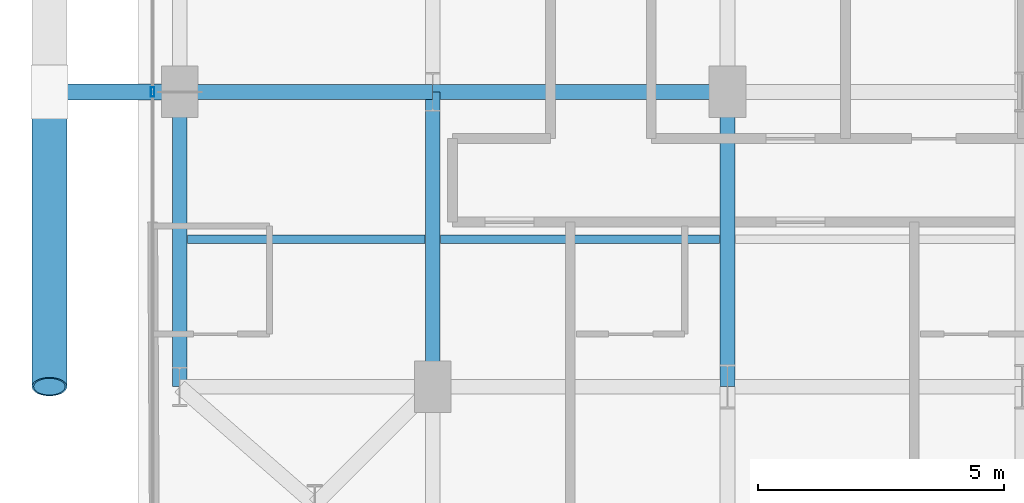
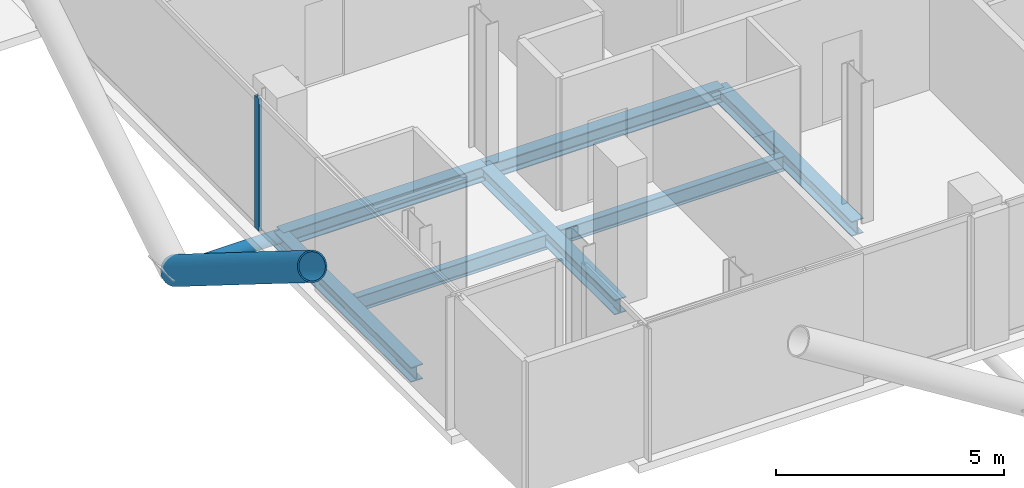
# One storey, part 3 of 28: 7 beams, 3 members, 1 element without a shape of its own.
"""IFC4 building model written with IfcOpenShell, lengths in metres."""

from ifc_helpers import new_model, si_unit, direction, frame, origin, origin_2d, place, context, subcontext, project, spatial, hollow_rectangle, hollow_circle, i_section, extrude, material, layer, layer_set, material_profile, profile_set, type_object, element, aggregate, save


model = new_model("IFC4")

# Units and contexts
model_context = context("Model", 3, precision=1e-05, world=origin(), true_north=direction((0.0, 1.0)))
body_context = subcontext(model_context, "Body", "Model", "MODEL_VIEW")
ifc_project = project(units=[si_unit("LENGTHUNIT", "METRE"), si_unit("AREAUNIT", "SQUARE_METRE"), si_unit("VOLUMEUNIT", "CUBIC_METRE"), si_unit("PLANEANGLEUNIT", "RADIAN"), si_unit("MASSUNIT", "GRAM", prefix="KILO"), si_unit("THERMODYNAMICTEMPERATUREUNIT", "KELVIN"), si_unit("POWERUNIT", "WATT")], contexts=[model_context])

# Site, building, storey
site_placement = place(None, origin())
site = spatial("IfcSite", under=ifc_project, at=site_placement, CompositionType="ELEMENT")
building_placement = place(site_placement, origin())
building = spatial("IfcBuilding", under=site, at=building_placement, Name="Svarakhadi Broadcast Tower", CompositionType="ELEMENT")
storey_placement = place(building_placement, frame((0.0, 0.0, 169.199951171875)))
storey = spatial("IfcBuildingStorey", under=building, at=storey_placement, Name="L41", CompositionType="ELEMENT", Elevation=169.199951171875)

# Beams
ifc_material_1 = material(Name="Steel S355J2 (IS 2062 E350C)", Category="steel")
ifc_material_profile_1 = material_profile(ifc_material_1, i_section(OverallWidth=0.179931640625, OverallDepth=0.39990234375, WebThickness=0.008544921875, FlangeThickness=0.013427734375, FilletRadius=0.02099609375, at=origin_2d()), Name="NPB 400x180x66")
ifc_profile_set_1 = profile_set([ifc_material_profile_1], Name="Steel S355J2 (IS 2062 E350C)")
beam_type_1 = type_object("IfcBeamType", Name="Beam_NPB400", PredefinedType="BEAM", material=ifc_profile_set_1)
beam_1_placement = place(storey_placement, frame((1.010009765625, 9.0, -0.409912109375), z_axis=(1.0, 0.0, 0.0), x_axis=(0.0, 1.0, 0.0)))
element("IfcBeam", 1, at=beam_1_placement, inside=storey, type_object=beam_type_1, Name="L41 Secondary Composite Beam SB001", PredefinedType="BEAM", context=body_context, shape_type="SweptSolid", body=[
    extrude(i_section(OverallWidth=0.179931640625, OverallDepth=0.39990234375, WebThickness=0.008544921875, FlangeThickness=0.013427734375, FilletRadius=0.02099609375, at=origin_2d()), origin(), (0.0, 0.0, 1.0), 4.830078125),
])
beam_2_placement = place(storey_placement, frame((6.159912109375, 9.0, -0.409912109375), z_axis=(1.0, 0.0, 0.0), x_axis=(0.0, 1.0, 0.0)))
element("IfcBeam", 2, at=beam_2_placement, inside=storey, type_object=beam_type_1, Name="L41 Secondary Composite Beam SB007", PredefinedType="BEAM", context=body_context, shape_type="SweptSolid", body=[
    extrude(i_section(OverallWidth=0.179931640625, OverallDepth=0.39990234375, WebThickness=0.008544921875, FlangeThickness=0.013427734375, FilletRadius=0.02099609375, at=origin_2d()), origin(), (0.0, 0.0, 1.0), 5.68017578125),
])

# Curtain wall, member
ifc_material_2 = material(Name="Anodised Bronze Aluminium AA 6063-T6", Category="aluminium")
ifc_layer = layer(ifc_material_2, 0.18994140625)
ifc_layer_set = layer_set([ifc_layer], Name="Anodised Bronze Aluminium AA 6063-T6")
curtain_wall_type = type_object("IfcCurtainWallType", Name="CW_Sys_04", PredefinedType="NOTDEFINED", material=ifc_layer_set)
curtain_wall_placement = place(storey_placement, origin())
curtain_wall = element("IfcCurtainWall", 3, at=curtain_wall_placement, inside=storey, type_object=curtain_wall_type, Name="L41 West Curtain Wall 02", PredefinedType="NOTDEFINED")
ifc_material_profile_2 = material_profile(ifc_material_2, hollow_rectangle(XDim=0.070068359375, YDim=0.18994140625, WallThickness=0.005615234375, at=origin_2d()), Name="ALU MULLION 190x70x6")
ifc_profile_set_2 = profile_set([ifc_material_profile_2], Name="Anodised Bronze Aluminium AA 6063-T6")
member_type_1 = type_object("IfcMemberType", Name="CW_Sys_04_Mul", PredefinedType="MULLION", material=ifc_profile_set_2)
member_1_placement = place(storey_placement, frame((0.300048828125, 12.0, 0.0), z_axis=(0.0, 0.0, 1.0), x_axis=(-1.0, 0.0, 0.0)))
member_1 = element("IfcMember", 4, at=member_1_placement, type_object=member_type_1, Name="CW-04 mullion 2", PredefinedType="MULLION", context=body_context, shape_type="SweptSolid", body=[
    extrude(hollow_rectangle(XDim=0.070068359375, YDim=0.18994140625, WallThickness=0.005615234375, at=origin_2d()), origin(), (0.0, 0.0, 1.0), 3.5400390625),
])
aggregate(curtain_wall, [member_1])

# Members
ifc_material_3 = material(Name="Steel S460ML (IS 2062 E450BR)", Category="steel")
ifc_material_profile_3 = material_profile(ifc_material_3, hollow_circle(Radius=0.35546875, WallThickness=0.034912109375, at=origin_2d()), Name="CHS 711x35")
ifc_profile_set_3 = profile_set([ifc_material_profile_3], Name="Steel S460ML (IS 2062 E450BR)")
member_type_2 = type_object("IfcMemberType", Name="Exo_Brace_CHS711", PredefinedType="BRACE", material=ifc_profile_set_3)
member_2_placement = place(storey_placement, frame((-1.800048828125, 12.0, -0.371826171875), z_axis=(0.0, -0.847998304005, 0.529998940003), x_axis=(1.0, 0.0, 0.0)))
element("IfcMember", 5, at=member_2_placement, inside=storey, type_object=member_type_2, Name="L41 Exposed Bronze Exoskeleton Diagonal W04", PredefinedType="BRACE", context=body_context, shape_type="SweptSolid", body=[
    extrude(hollow_circle(Radius=0.35546875, WallThickness=0.034912109375, at=origin_2d()), origin(), (0.0, 0.0, 1.0), 7.075439453125),
])
ifc_material_profile_4 = material_profile(ifc_material_3, hollow_circle(Radius=0.161865234375, WallThickness=0.01611328125, at=origin_2d()), Name="CHS 323.9x16")
ifc_profile_set_4 = profile_set([ifc_material_profile_4], Name="Steel S460ML (IS 2062 E450BR)")
member_type_3 = type_object("IfcMemberType", Name="Exo_Radial_Strut_Z2", PredefinedType="STRUT", material=ifc_profile_set_4)
member_3_placement = place(storey_placement, frame((-1.800048828125, 12.0, -0.371826171875), z_axis=(1.0, 0.0, 0.0), x_axis=(0.0, 1.0, 0.0)))
element("IfcMember", 6, at=member_3_placement, inside=storey, type_object=member_type_3, Name="L41 Exoskeleton Radial Tie Strut W04", PredefinedType="STRUT", context=body_context, shape_type="SweptSolid", body=[
    extrude(hollow_circle(Radius=0.161865234375, WallThickness=0.01611328125, at=origin_2d()), origin(), (0.0, 0.0, 1.0), 2.650146484375),
])

# Beams
ifc_material_profile_5 = material_profile(ifc_material_1, i_section(OverallWidth=0.300048828125, OverallDepth=0.39990234375, WebThickness=0.013427734375, FlangeThickness=0.02392578125, FilletRadius=0.027099609375, at=origin_2d()), Name="WPB 400x300x155")
ifc_profile_set_5 = profile_set([ifc_material_profile_5], Name="Steel S355J2 (IS 2062 E350C)")
beam_type_2 = type_object("IfcBeamType", Name="Girder_WPB400", PredefinedType="USERDEFINED", material=ifc_profile_set_5)
beam_3_placement = place(storey_placement, frame((0.85009765625, 12.0, -0.409912109375), z_axis=(1.0, 0.0, 0.0), x_axis=(0.0, 1.0, 0.0)))
element("IfcBeam", 7, at=beam_3_placement, inside=storey, type_object=beam_type_2, Name="L41 Primary E-W Girder G016", ObjectType="GIRDER", PredefinedType="USERDEFINED", context=body_context, shape_type="SweptSolid", body=[
    extrude(i_section(OverallWidth=0.300048828125, OverallDepth=0.39990234375, WebThickness=0.013427734375, FlangeThickness=0.02392578125, FilletRadius=0.027099609375, at=origin_2d()), origin(), (0.0, 0.0, 1.0), 5.14990234375),
])
for number, where, z_axis, x_axis, name in (
    (8, (6.0, 12.0, -0.409912109375), (1.0, 0.0, 0.0), (0.0, 1.0, 0.0), "L41 Primary E-W Girder G017"),
    (9, (0.85009765625, 6.0, -0.409912109375), (0.0, 1.0, 0.0), (-1.0, 0.0, 0.0), "L41 Primary N-S Girder G035"),
    (10, (6.0, 6.0, -0.409912109375), (0.0, 1.0, 0.0), (-1.0, 0.0, 0.0), "L41 Primary N-S Girder G041"),
    (11, (12.0, 6.0, -0.409912109375), (0.0, 1.0, 0.0), (-1.0, 0.0, 0.0), "L41 Primary N-S Girder G046"),
):
    element("IfcBeam", number, at=place(storey_placement, frame(where, z_axis=z_axis, x_axis=x_axis)), inside=storey, type_object=beam_type_2, Name=name, ObjectType="GIRDER", PredefinedType="USERDEFINED", context=body_context, shape_type="SweptSolid", body=[
        extrude(i_section(OverallWidth=0.300048828125, OverallDepth=0.39990234375, WebThickness=0.013427734375, FlangeThickness=0.02392578125, FilletRadius=0.027099609375, at=origin_2d()), origin(), (0.0, 0.0, 1.0), 6.0),
    ])

save(model, "model.ifc")
